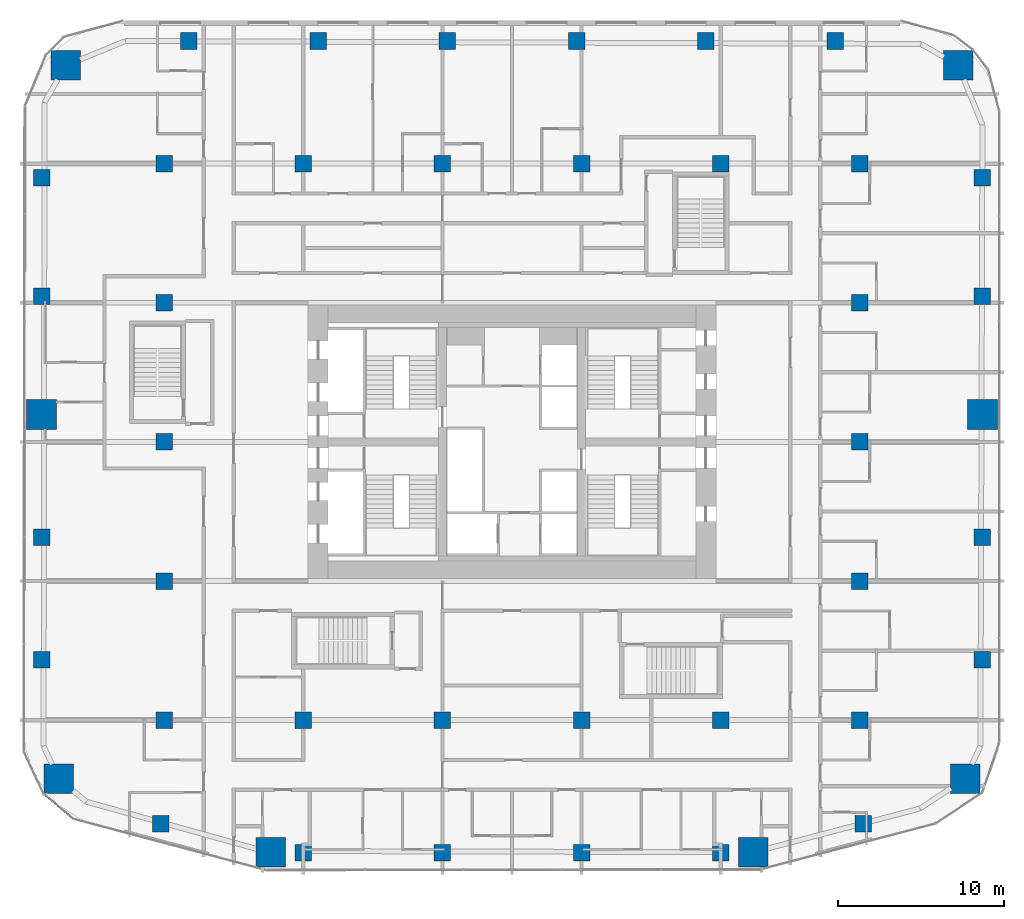
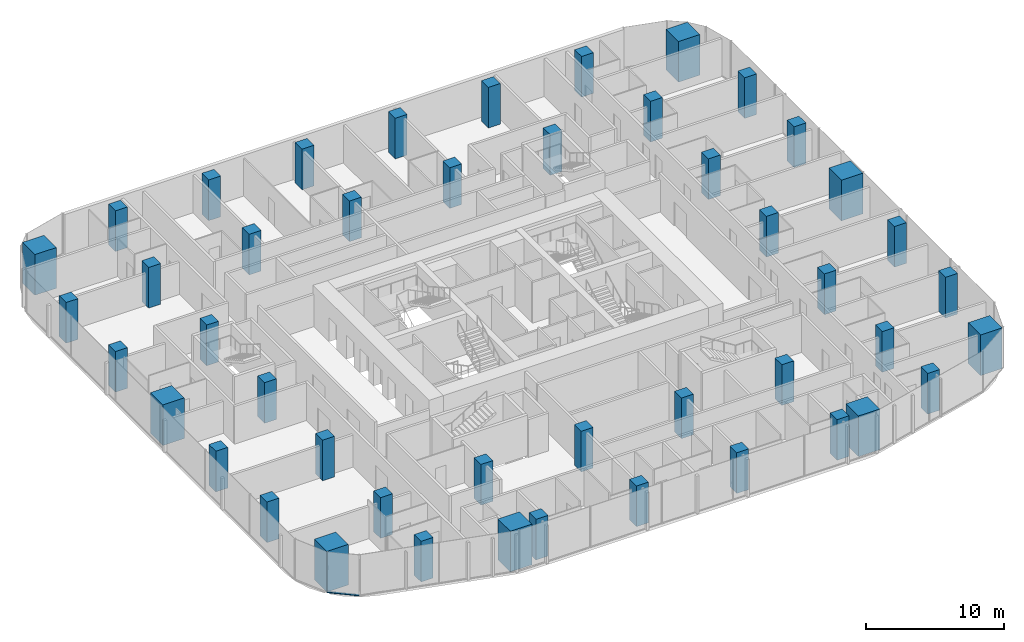
# One storey, part 1 of 26: 46 columns, 1 member, 1 element without a shape of its own.
"""IFC4 building model written with IfcOpenShell, lengths in metres."""

from ifc_helpers import new_model, si_unit, direction, frame, origin, origin_2d, place, context, subcontext, project, spatial, rectangle, extrude, material, layer, layer_set, material_profile, profile_set, type_object, element, aggregate, save


model = new_model("IFC4")

# Units and contexts
model_context = context("Model", 3, precision=1e-05, world=origin(), true_north=direction((0.0, 1.0)))
body_context = subcontext(model_context, "Body", "Model", "MODEL_VIEW")
ifc_project = project(units=[si_unit("LENGTHUNIT", "METRE"), si_unit("AREAUNIT", "SQUARE_METRE"), si_unit("VOLUMEUNIT", "CUBIC_METRE"), si_unit("PLANEANGLEUNIT", "RADIAN"), si_unit("MASSUNIT", "GRAM", prefix="KILO")], contexts=[model_context])

# Site, building, storey
site_placement = place(None, origin())
site = spatial("IfcSite", under=ifc_project, at=site_placement, CompositionType="ELEMENT")
building_placement = place(site_placement, origin())
building = spatial("IfcBuilding", under=site, at=building_placement, Name="Marenta Gate Hotel Tower", CompositionType="ELEMENT")
storey_placement = place(building_placement, frame((0.0, 0.0, 79.699951171875)))
storey = spatial("IfcBuildingStorey", under=building, at=storey_placement, Name="L18", CompositionType="ELEMENT", Elevation=79.699951171875)

# Columns
ifc_material_1 = material(Name="Concrete C80", Category="concrete")
ifc_material_profile_1 = material_profile(ifc_material_1, rectangle(XDim=1.0, YDim=1.0, at=origin_2d()), Name="1000 x 1000")
ifc_profile_set_1 = profile_set([ifc_material_profile_1], Name="Concrete C80")
column_type_1 = type_object("IfcColumnType", Name="Edge column 1000 x 1000 C80", PredefinedType="COLUMN", material=ifc_profile_set_1)
for number, where, z_axis, x_axis, name in (
    (1, (-28.39990234375, -4.751953125, 0.0), (0.0, 0.0, 1.0), (1.0, 0.0, 0.0), "L18-EC-SW-W-1"),
    (2, (-28.39990234375, 2.649169921875, 0.0), (0.0, 0.0, 1.0), (1.0, 0.0, 0.0), "L18-EC-SW-W-2"),
    (3, (-28.39990234375, 17.203125, 0.0), (0.0, 0.0, 1.0), (1.0, 0.0, 0.0), "L18-EC-W-NW-1"),
    (4, (-28.39990234375, 24.3564453125, 0.0), (0.0, 0.0, 1.0), (1.0, 0.0, 0.0), "L18-EC-W-NW-2"),
    (5, (-19.5068359375, 32.60009765625, 0.0), (0.0, 0.0, 1.0), (1.0, 0.0, 0.0), "L18-EC-NW-NE-1"),
    (6, (-11.7041015625, 32.60009765625, 0.0), (0.0, 0.0, 1.0), (1.0, 0.0, 0.0), "L18-EC-NW-NE-2"),
    (7, (-3.9013671875, 32.60009765625, 0.0), (0.0, 0.0, 1.0), (1.0, 0.0, 0.0), "L18-EC-NW-NE-3"),
    (8, (3.9013671875, 32.60009765625, 0.0), (0.0, 0.0, 1.0), (1.0, 0.0, 0.0), "L18-EC-NW-NE-4"),
    (9, (11.7041015625, 32.60009765625, 0.0), (0.0, 0.0, 1.0), (1.0, 0.0, 0.0), "L18-EC-NW-NE-5"),
    (10, (19.5068359375, 32.60009765625, 0.0), (0.0, 0.0, 1.0), (1.0, 0.0, 0.0), "L18-EC-NW-NE-6"),
    (11, (28.39990234375, 24.3564453125, 0.0), (0.0, 0.0, 1.0), (1.0, 0.0, 0.0), "L18-EC-NE-E-1"),
    (12, (28.39990234375, 17.203125, 0.0), (0.0, 0.0, 1.0), (1.0, 0.0, 0.0), "L18-EC-NE-E-2"),
    (13, (28.39990234375, 2.649169921875, 0.0), (0.0, 0.0, 1.0), (1.0, 0.0, 0.0), "L18-EC-E-SE-1"),
    (14, (28.39990234375, -4.751953125, 0.0), (0.0, 0.0, 1.0), (1.0, 0.0, 0.0), "L18-EC-E-SE-2"),
    (15, (21.206787109375, -14.63916015625, 0.0), (0.0, 0.0, 1.0), (1.0, 0.0, 0.0), "L18-EC-SE-SKE-1"),
    (16, (12.60009765625, -16.39990234375, 0.0), (0.0, 0.0, 1.0), (1.0, 0.0, 0.0), "L18-EC-SKE-SKW-1"),
    (17, (4.199951171875, -16.39990234375, 0.0), (0.0, 0.0, 1.0), (1.0, 0.0, 0.0), "L18-EC-SKE-SKW-2"),
    (18, (-4.199951171875, -16.39990234375, 0.0), (0.0, 0.0, 1.0), (1.0, 0.0, 0.0), "L18-EC-SKE-SKW-3"),
    (19, (-12.60009765625, -16.39990234375, 0.0), (0.0, 0.0, 1.0), (1.0, 0.0, 0.0), "L18-EC-SKE-SKW-4"),
    (20, (-21.206787109375, -14.63916015625, 0.0), (0.0, 0.0, 1.0), (1.0, 0.0, 0.0), "L18-EC-SKW-SW-1"),
):
    element("IfcColumn", number, at=place(storey_placement, frame(where, z_axis=z_axis, x_axis=x_axis)), inside=storey, type_object=column_type_1, Name=name, PredefinedType="COLUMN", context=body_context, shape_type="SweptSolid", body=[
        extrude(rectangle(XDim=1.0, YDim=1.0, at=origin_2d()), origin(), (0.0, 0.0, 1.0), 3.60009765625),
    ])
ifc_material_2 = material(Name="Concrete C80", Category="concrete")
ifc_material_profile_2 = material_profile(ifc_material_2, rectangle(XDim=1.0, YDim=1.0, at=origin_2d()), Name="1000 x 1000")
ifc_profile_set_2 = profile_set([ifc_material_profile_2], Name="Concrete C80")
column_type_2 = type_object("IfcColumnType", Name="Interior column 1000 x 1000 C80", PredefinedType="COLUMN", material=ifc_profile_set_2)
for number, where, z_axis, x_axis, name in (
    (21, (-21.0, -8.39990234375, 0.0), (0.0, 0.0, 1.0), (1.0, 0.0, 0.0), "L18-IC-4E"),
    (22, (-21.0, 0.0, 0.0), (0.0, 0.0, 1.0), (1.0, 0.0, 0.0), "L18-IC-4F"),
    (23, (-21.0, 8.39990234375, 0.0), (0.0, 0.0, 1.0), (1.0, 0.0, 0.0), "L18-IC-4G"),
    (24, (-21.0, 16.800048828125, 0.0), (0.0, 0.0, 1.0), (1.0, 0.0, 0.0), "L18-IC-4H"),
    (25, (-21.0, 25.199951171875, 0.0), (0.0, 0.0, 1.0), (1.0, 0.0, 0.0), "L18-IC-4I"),
    (26, (-12.60009765625, -8.39990234375, 0.0), (0.0, 0.0, 1.0), (1.0, 0.0, 0.0), "L18-IC-5E"),
    (27, (-12.60009765625, 25.199951171875, 0.0), (0.0, 0.0, 1.0), (1.0, 0.0, 0.0), "L18-IC-5I"),
    (28, (-4.199951171875, -8.39990234375, 0.0), (0.0, 0.0, 1.0), (1.0, 0.0, 0.0), "L18-IC-6E"),
    (29, (-4.199951171875, 25.199951171875, 0.0), (0.0, 0.0, 1.0), (1.0, 0.0, 0.0), "L18-IC-6I"),
    (30, (4.199951171875, -8.39990234375, 0.0), (0.0, 0.0, 1.0), (1.0, 0.0, 0.0), "L18-IC-7E"),
    (31, (4.199951171875, 25.199951171875, 0.0), (0.0, 0.0, 1.0), (1.0, 0.0, 0.0), "L18-IC-7I"),
    (32, (12.60009765625, -8.39990234375, 0.0), (0.0, 0.0, 1.0), (1.0, 0.0, 0.0), "L18-IC-8E"),
    (33, (12.60009765625, 25.199951171875, 0.0), (0.0, 0.0, 1.0), (1.0, 0.0, 0.0), "L18-IC-8I"),
    (34, (21.0, -8.39990234375, 0.0), (0.0, 0.0, 1.0), (1.0, 0.0, 0.0), "L18-IC-9E"),
    (35, (21.0, 0.0, 0.0), (0.0, 0.0, 1.0), (1.0, 0.0, 0.0), "L18-IC-9F"),
    (36, (21.0, 8.39990234375, 0.0), (0.0, 0.0, 1.0), (1.0, 0.0, 0.0), "L18-IC-9G"),
    (37, (21.0, 16.800048828125, 0.0), (0.0, 0.0, 1.0), (1.0, 0.0, 0.0), "L18-IC-9H"),
    (38, (21.0, 25.199951171875, 0.0), (0.0, 0.0, 1.0), (1.0, 0.0, 0.0), "L18-IC-9I"),
):
    element("IfcColumn", number, at=place(storey_placement, frame(where, z_axis=z_axis, x_axis=x_axis)), inside=storey, type_object=column_type_2, Name=name, PredefinedType="COLUMN", context=body_context, shape_type="SweptSolid", body=[
        extrude(rectangle(XDim=1.0, YDim=1.0, at=origin_2d()), origin(), (0.0, 0.0, 1.0), 3.60009765625),
    ])
ifc_material_3 = material(Name="Concrete C80", Category="concrete")
ifc_material_profile_3 = material_profile(ifc_material_3, rectangle(XDim=1.800048828125, YDim=1.800048828125, at=origin_2d()), Name="1800 x 1800")
ifc_profile_set_3 = profile_set([ifc_material_profile_3], Name="Concrete C80")
column_type_3 = type_object("IfcColumnType", Name="Mega column 1800 x 1800 C80", PredefinedType="COLUMN", material=ifc_profile_set_3)
for number, where, z_axis, x_axis, name in (
    (39, (-27.363037109375, -11.93310546875, 0.0), (0.0, 0.0, 1.0), (1.0, 0.0, 0.0), "L18-MC-SW"),
    (40, (-14.56640625, -16.374755859375, 0.0), (0.0, 0.0, 1.0), (1.0, 0.0, 0.0), "L18-MC-SKW"),
    (41, (14.56640625, -16.374755859375, 0.0), (0.0, 0.0, 1.0), (1.0, 0.0, 0.0), "L18-MC-SKE"),
    (42, (27.363037109375, -11.93310546875, 0.0), (0.0, 0.0, 1.0), (1.0, 0.0, 0.0), "L18-MC-SE"),
    (43, (28.39990234375, 10.050048828125, 0.0), (0.0, 0.0, 1.0), (1.0, 0.0, 0.0), "L18-MC-E"),
    (44, (26.935546875, 31.135498046875, 0.0), (0.0, 0.0, 1.0), (1.0, 0.0, 0.0), "L18-MC-NE"),
    (45, (-26.935546875, 31.135498046875, 0.0), (0.0, 0.0, 1.0), (1.0, 0.0, 0.0), "L18-MC-NW"),
    (46, (-28.39990234375, 10.050048828125, 0.0), (0.0, 0.0, 1.0), (1.0, 0.0, 0.0), "L18-MC-W"),
):
    element("IfcColumn", number, at=place(storey_placement, frame(where, z_axis=z_axis, x_axis=x_axis)), inside=storey, type_object=column_type_3, Name=name, PredefinedType="COLUMN", context=body_context, shape_type="SweptSolid", body=[
        extrude(rectangle(XDim=1.800048828125, YDim=1.800048828125, at=origin_2d()), origin(), (0.0, 0.0, 1.0), 3.60009765625),
    ])

# Curtain wall, member
ifc_material_4 = material(Name="Tinted insulated glass in bronze anodised frame", Category="glass")
ifc_layer = layer(ifc_material_4, 0.1201171875)
ifc_layer_set = layer_set([ifc_layer], Name="Tinted insulated glass in bronze anodised frame")
curtain_wall_type = type_object("IfcCurtainWallType", Name="Tower unitised curtain wall CW1", PredefinedType="NOTDEFINED", material=ifc_layer_set)
curtain_wall_placement = place(storey_placement, origin())
curtain_wall = element("IfcCurtainWall", 47, at=curtain_wall_placement, inside=storey, type_object=curtain_wall_type, Name="CW1 run G05", PredefinedType="NOTDEFINED")
ifc_material_5 = material(Name="Bronze anodised aluminium", Category="aluminium")
ifc_material_profile_4 = material_profile(ifc_material_5, rectangle(XDim=0.1201171875, YDim=0.06005859375, at=origin_2d()), Name="Transom CW1 60x120 bronze anodised aluminium")
ifc_profile_set_4 = profile_set([ifc_material_profile_4], Name="Bronze anodised aluminium")
member_type = type_object("IfcMemberType", Name="Transom CW1 60x120 bronze anodised aluminium", PredefinedType="USERDEFINED", material=ifc_profile_set_4)
member_placement = place(storey_placement, frame((-28.228271484375, -12.880126953125, 0.030029296875), z_axis=(0.767079699321, -0.641551817775, 0.0), x_axis=(0.641551817775, 0.767079699321, 0.0)))
member = element("IfcMember", 48, at=member_placement, type_object=member_type, Name="CW1 transom 1.1", ObjectType="TRANSOM", PredefinedType="USERDEFINED", context=body_context, shape_type="SweptSolid", body=[
    extrude(rectangle(XDim=0.1201171875, YDim=0.06005859375, at=origin_2d()), origin(), (0.0, 0.0, 1.0), 2.31640625),
])
aggregate(curtain_wall, [member])

save(model, "model.ifc")
